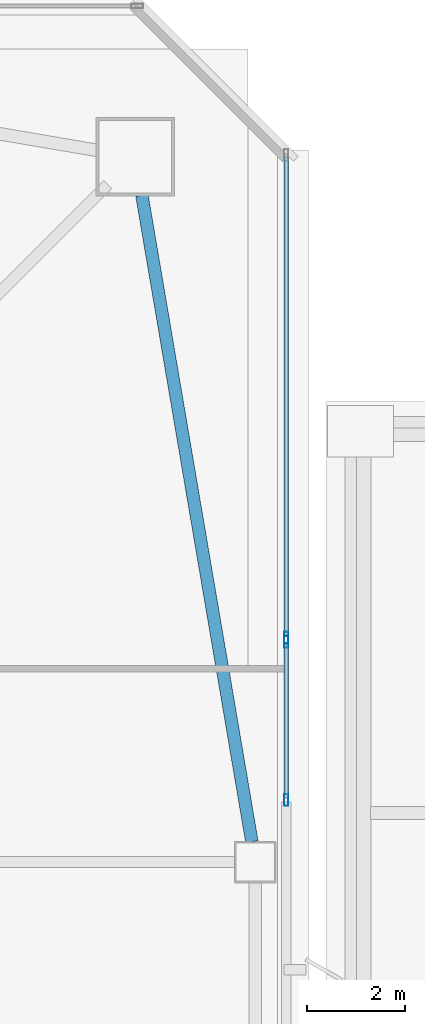
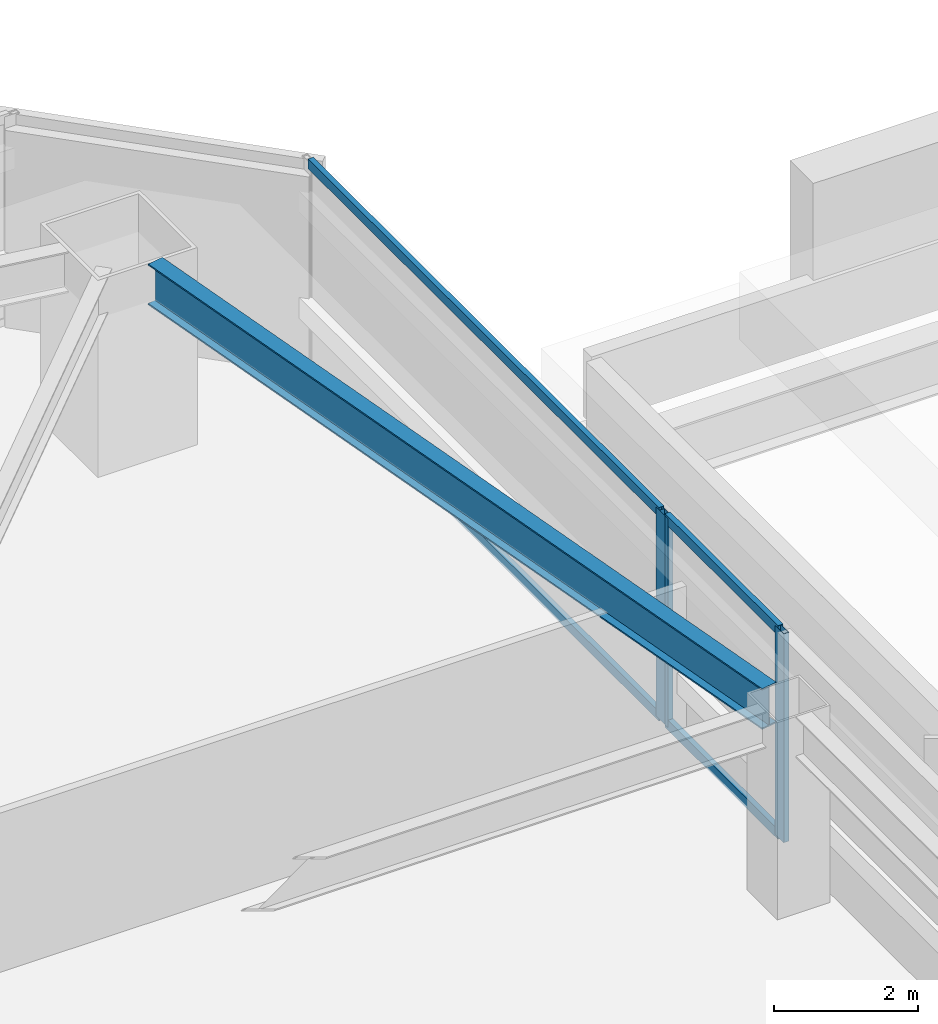
# One storey, part 17 of 62: 7 members, 1 beam, 2 elements without a shape of their own.
"""IFC4 building model written with IfcOpenShell, lengths in metres."""

import ifcopenshell
import ifcopenshell.guid

model = None  # the IFC model being written
_history = None  # IfcOwnerHistory: only IFC2X3 demands one
_inside = {}  # id of a spatial element -> (the spatial element, [elements in it])
_under = {}  # id of a project, library or spatial element -> (it, [spatial elements below it])
_declared = {}  # id of a project -> (the project, [libraries it declares])
_typed = {}  # id of a type object -> (the type object, [elements of that type])
_made_of = {}  # id of a material, layer set ... -> (it, [elements and type objects made of it])


def new_model(schema):
    """Start an empty IFC model of exactly this schema.

    Asked for "IFC4X3", IfcOpenShell would pick the latest addendum, in which some entities
    have other attributes; the version numbers below select the first issue.
    IFC2X3 requires an IfcOwnerHistory on every rooted entity: one is made here for all.
    """
    global model, _history
    if schema == "IFC4X3":
        model = ifcopenshell.file(schema_version=(4, 3, 0, 0))
    else:
        model = ifcopenshell.file(schema=schema)
    _inside.clear()
    _under.clear()
    _declared.clear()
    _typed.clear()
    _made_of.clear()
    _history = None
    if model.schema == "IFC2X3":
        org = make("IfcOrganization", Name="unknown")
        user = make(
            "IfcPersonAndOrganization",
            ThePerson=make("IfcPerson", FamilyName="unknown"),
            TheOrganization=org,
        )
        app = make(
            "IfcApplication",
            ApplicationDeveloper=org,
            Version="unknown",
            ApplicationFullName="unknown",
            ApplicationIdentifier="unknown",
        )
        _history = make(
            "IfcOwnerHistory",
            OwningUser=user,
            OwningApplication=app,
            ChangeAction="ADDED",
            CreationDate=0,
        )
    return model


def make(cls, **values):
    """One entity of the class cls with the attributes given. An attribute that is None is left unset."""
    return model.create_entity(
        cls, **{name: value for name, value in values.items() if value is not None}
    )


def rooted(cls, **values):
    """An entity with a GlobalId (a new one), such as an element, a storey or a relation."""
    return make(cls, GlobalId=ifcopenshell.guid.new(), OwnerHistory=_history, **values)


def si_unit(unit_type, name, prefix=None):
    """IfcSIUnit, for example si_unit("LENGTHUNIT", "METRE", prefix="MILLI")."""
    return make("IfcSIUnit", UnitType=unit_type, Prefix=prefix, Name=name)


def assignment(units):
    """IfcUnitAssignment: the units of a project."""
    return None if units is None else make("IfcUnitAssignment", Units=units)


def point(xyz):
    """IfcCartesianPoint."""
    return None if xyz is None else make("IfcCartesianPoint", Coordinates=xyz)


def direction(xyz):
    """IfcDirection."""
    return None if xyz is None else make("IfcDirection", DirectionRatios=xyz)


def frame(location, z_axis=None, x_axis=None):
    """IfcAxis2Placement3D, a coordinate frame: its origin and axes. An axis left out is left unset."""
    return make(
        "IfcAxis2Placement3D",
        Location=point(location),
        Axis=direction(z_axis),
        RefDirection=direction(x_axis),
    )


def frame_2d(location, x_axis=None):
    """IfcAxis2Placement2D, a coordinate frame in the plane: its origin and x axis."""
    return make(
        "IfcAxis2Placement2D", Location=point(location), RefDirection=direction(x_axis)
    )


def origin():
    """The frame at (0, 0, 0) with its axes left unset."""
    return frame((0.0, 0.0, 0.0))


def origin_2d():
    """The frame at (0, 0) in the plane with its x axis left unset."""
    return frame_2d((0.0, 0.0))


def place(relative_to, where):
    """IfcLocalPlacement: puts the frame where relative to a parent placement (None: the world)."""
    return make(
        "IfcLocalPlacement", PlacementRelTo=relative_to, RelativePlacement=where
    )


def context(
    kind, dimensions, precision=None, world=None, true_north=None, identifier=None
):
    """IfcGeometricRepresentationContext, for example the 3D "Model" context."""
    return make(
        "IfcGeometricRepresentationContext",
        ContextIdentifier=identifier,
        ContextType=kind,
        CoordinateSpaceDimension=dimensions,
        Precision=precision,
        WorldCoordinateSystem=world,
        TrueNorth=true_north,
    )


def subcontext(parent, identifier, kind, view, scale=None):
    """IfcGeometricRepresentationSubContext, for example "Body" below "Model"."""
    return make(
        "IfcGeometricRepresentationSubContext",
        ContextIdentifier=identifier,
        ContextType=kind,
        ParentContext=parent,
        TargetScale=scale,
        TargetView=view,
    )


def project(units=None, contexts=None):
    """IfcProject with its units and contexts."""
    return rooted(
        "IfcProject",
        Name="project",
        RepresentationContexts=contexts,
        UnitsInContext=assignment(units),
    )


def spatial(cls, under=None, at=None, **own):
    """A site, building, storey or space (cls), placed at a placement, below another one or the project."""
    s = rooted(cls, ObjectPlacement=at, **own)
    if under is not None:
        _under.setdefault(under.id(), (under, []))[1].append(s)
    return s


def profile(cls, at=None, kind="AREA", **sizes):
    """A parametric profile (cls). Its sizes go by their IFC names, for example OverallWidth=200.0."""
    return make(cls, ProfileType=kind, Position=at, **sizes)


def hollow_rectangle(**sizes):
    """IfcRectangleHollowProfileDef."""
    return profile("IfcRectangleHollowProfileDef", **sizes)


def i_section(**sizes):
    """IfcIShapeProfileDef."""
    return profile("IfcIShapeProfileDef", **sizes)


def extrude(swept, where, along, depth):
    """IfcExtrudedAreaSolid: the profile swept, set in the frame where, extruded along a direction by depth."""
    return make(
        "IfcExtrudedAreaSolid",
        SweptArea=swept,
        Position=where,
        ExtrudedDirection=direction(along),
        Depth=depth,
    )


def shape(context_of_items, identifier, shape_type, items):
    """IfcShapeRepresentation: the items that make up one representation, for example the "Body"."""
    return make(
        "IfcShapeRepresentation",
        ContextOfItems=context_of_items,
        RepresentationIdentifier=identifier,
        RepresentationType=shape_type,
        Items=items,
    )


def material(Name=None, Category=None):
    """IfcMaterial."""
    return make("IfcMaterial", Name=Name, Category=Category)


def material_profile(
    of_material, cross_section, Name=None, Category=None, Priority=None
):
    """IfcMaterialProfile: a cross section and its material."""
    return make(
        "IfcMaterialProfile",
        Name=Name,
        Material=of_material,
        Profile=cross_section,
        Priority=Priority,
        Category=Category,
    )


def profile_set(profiles, Name=None, composite=None):
    """IfcMaterialProfileSet."""
    return make(
        "IfcMaterialProfileSet",
        Name=Name,
        MaterialProfiles=profiles,
        CompositeProfile=composite,
    )


def made_of(thing, what):
    """Note that an element or type object is made of a material, layer set ...; save() writes the relation."""
    if what is not None:
        _made_of.setdefault(what.id(), (what, []))[1].append(thing)
    return thing


def type_object(cls, material=None, **own):
    """A type object (cls), such as IfcWallType, which elements share."""
    return made_of(rooted(cls, **own), material)


def element(
    cls,
    number,
    at=None,
    inside=None,
    cuts=None,
    type_object=None,
    material=None,
    context=None,
    identifier="Body",
    shape_type=None,
    held_by="IfcProductDefinitionShape",
    body=None,
    shapes=None,
    **own,
):
    """One element of the class cls, such as IfcWall. Its Tag is "e" and its number.

    at: its placement. inside: the storey or other place that contains it. cuts: it is an
    opening in that element (IfcRelVoidsElement). A single representation is given by context,
    identifier, shape_type and body (its items); several are given by shapes. held_by: the class
    of the entity that holds the representations. save() writes the other relations.
    """
    e = rooted(cls, Tag="e%d" % number, ObjectPlacement=at, **own)
    if body is not None:
        shapes = [shape(context, identifier, shape_type, body)]
    if shapes is not None:
        e.Representation = make(held_by, Representations=shapes)
    if inside is not None:
        _inside.setdefault(inside.id(), (inside, []))[1].append(e)
    if cuts is not None:
        rooted(
            "IfcRelVoidsElement", RelatingBuildingElement=cuts, RelatedOpeningElement=e
        )
    if type_object is not None:
        _typed.setdefault(type_object.id(), (type_object, []))[1].append(e)
    return made_of(e, material)


def aggregate(whole, parts):
    """IfcRelAggregates: a whole, such as a stair, and the parts it consists of."""
    return rooted("IfcRelAggregates", RelatingObject=whole, RelatedObjects=parts)


def save(model, path):
    """Write the relations noted so far, then the file.

    IfcRelAggregates (storeys below a building ...), IfcRelContainedInSpatialStructure (elements
    in a storey), IfcRelDefinesByType, IfcRelAssociatesMaterial and IfcRelDeclares: one each for
    every whole, place, type object, material and project.
    """
    for whole, parts in _under.values():
        aggregate(whole, parts)
    for where, things in _inside.values():
        rooted(
            "IfcRelContainedInSpatialStructure",
            RelatedElements=things,
            RelatingStructure=where,
        )
    for kind, things in _typed.values():
        rooted("IfcRelDefinesByType", RelatedObjects=things, RelatingType=kind)
    for what, things in _made_of.values():
        rooted("IfcRelAssociatesMaterial", RelatedObjects=things, RelatingMaterial=what)
    for by, libraries in _declared.values():
        rooted("IfcRelDeclares", RelatingContext=by, RelatedDefinitions=libraries)
    model.write(path)


model = new_model("IFC4")

# Units and contexts
model_context = context("Model", 3, precision=1e-05, world=origin(), true_north=direction((0.0, 1.0)))
body_context = subcontext(model_context, "Body", "Model", "MODEL_VIEW")
ifc_project = project(units=[si_unit("LENGTHUNIT", "METRE"), si_unit("AREAUNIT", "SQUARE_METRE"), si_unit("VOLUMEUNIT", "CUBIC_METRE"), si_unit("PLANEANGLEUNIT", "RADIAN"), si_unit("MASSUNIT", "GRAM", prefix="KILO")], contexts=[model_context])

# Site, building, storey
site_placement = place(None, origin())
site = spatial("IfcSite", under=ifc_project, at=site_placement, CompositionType="ELEMENT")
building_placement = place(site_placement, origin())
building = spatial("IfcBuilding", under=site, at=building_placement, Name="Tashvorn Skyway Center", CompositionType="ELEMENT")
storey_placement = place(building_placement, frame((0.0, 0.0, 28.14990234375)))
storey = spatial("IfcBuildingStorey", under=building, at=storey_placement, Name="L06", CompositionType="ELEMENT", Elevation=28.14990234375)

# Beam
ifc_material_1 = material(Name="Steel ASTM A992 Grade 50", Category="steel")
ifc_material_profile_1 = material_profile(ifc_material_1, i_section(OverallWidth=0.256103515625, OverallDepth=0.693115234375, WebThickness=0.014404296875, FlangeThickness=0.023681640625, at=origin_2d()), Name="W27X114")
ifc_profile_set_1 = profile_set([ifc_material_profile_1], Name="Steel ASTM A992 Grade 50")
beam_type = type_object("IfcBeamType", Name="BM-SPANDREL-W27X114", PredefinedType="SPANDREL", material=ifc_profile_set_1)
beam_placement = place(storey_placement, frame((64.179443359375, 37.81396484375, 3.003662109375), z_axis=(-0.16771792509, 0.985835025551, 0.0), x_axis=(-0.985835025551, -0.16771792509, 0.0)))
element("IfcBeam", 1, at=beam_placement, inside=storey, type_object=beam_type, Name="Tower 1 L06 Spandrel Beam 06", PredefinedType="SPANDREL", context=body_context, shape_type="SweptSolid", body=[
    extrude(i_section(OverallWidth=0.256103515625, OverallDepth=0.693115234375, WebThickness=0.014404296875, FlangeThickness=0.023681640625, at=origin_2d()), origin(), (0.0, 0.0, 1.0), 13.39208984375),
])

# Curtain wall, member
ifc_material_2 = material(Name="Thermally broken bronze-anodized aluminium 6063-T6", Category="aluminium")
curtain_wall_type = type_object("IfcCurtainWallType", Name="CW-CW-Z1", PredefinedType="NOTDEFINED", material=ifc_material_2)
curtain_wall_1_placement = place(storey_placement, origin())
curtain_wall_1 = element("IfcCurtainWall", 2, at=curtain_wall_1_placement, inside=storey, type_object=curtain_wall_type, Name="Tower 1 L06 East Unitised Curtain Wall Glazing Group 1", PredefinedType="NOTDEFINED")
ifc_material_profile_2 = material_profile(ifc_material_2, hollow_rectangle(XDim=0.0849609375, YDim=0.239990234375, WallThickness=0.0048828125, at=origin_2d()), Name="ALU-MULL-85x240")
ifc_profile_set_2 = profile_set([ifc_material_profile_2], Name="Thermally broken bronze-anodized aluminium 6063-T6")
member_type_1 = type_object("IfcMemberType", Name="CWM-CW-Z1", PredefinedType="MULLION", material=ifc_profile_set_2)
member_1_placement = place(storey_placement, frame((64.8798828125, 41.982421875, 0.0), z_axis=(0.0, 0.0, 1.0), x_axis=(1.0, 0.0, 0.0)))
member_1 = element("IfcMember", 3, at=member_1_placement, type_object=member_type_1, Name="CW-Z1 mullion 2", PredefinedType="MULLION", context=body_context, shape_type="SweptSolid", body=[
    extrude(hollow_rectangle(XDim=0.0849609375, YDim=0.239990234375, WallThickness=0.0048828125, at=origin_2d()), origin(), (0.0, 0.0, 1.0), 3.550048828125),
])

# Curtain wall, members
curtain_wall_2_placement = place(storey_placement, origin())
curtain_wall_2 = element("IfcCurtainWall", 4, at=curtain_wall_2_placement, inside=storey, type_object=curtain_wall_type, Name="Tower 1 L06 East Unitised Curtain Wall Glazing Group 2", PredefinedType="NOTDEFINED")
member_2_placement = place(storey_placement, frame((64.8798828125, 41.8974609375, 0.0), z_axis=(0.0, 0.0, 1.0), x_axis=(1.0, 0.0, 0.0)))
member_2 = element("IfcMember", 5, at=member_2_placement, type_object=member_type_1, Name="CW-Z1 mullion 1", PredefinedType="MULLION", context=body_context, shape_type="SweptSolid", body=[
    extrude(hollow_rectangle(XDim=0.0849609375, YDim=0.239990234375, WallThickness=0.0048828125, at=origin_2d()), origin(), (0.0, 0.0, 1.0), 3.550048828125),
])
member_3_placement = place(storey_placement, frame((64.8798828125, 38.669189453125, 0.0), z_axis=(0.0, 0.0, 1.0), x_axis=(1.0, 0.0, 0.0)))
member_3 = element("IfcMember", 6, at=member_3_placement, type_object=member_type_1, Name="CW-Z1 mullion 2", PredefinedType="MULLION", context=body_context, shape_type="SweptSolid", body=[
    extrude(hollow_rectangle(XDim=0.0849609375, YDim=0.239990234375, WallThickness=0.0048828125, at=origin_2d()), origin(), (0.0, 0.0, 1.0), 3.550048828125),
])

# Member
ifc_material_profile_3 = material_profile(ifc_material_2, hollow_rectangle(XDim=0.0849609375, YDim=0.1650390625, WallThickness=0.0048828125, at=origin_2d()), Name="ALU-TRAN-85x165")
ifc_profile_set_3 = profile_set([ifc_material_profile_3], Name="Thermally broken bronze-anodized aluminium 6063-T6")
member_type_2 = type_object("IfcMemberType", Name="CWT-CW-Z1", PredefinedType="USERDEFINED", material=ifc_profile_set_3)
member_4_placement = place(storey_placement, frame((64.8798828125, 51.794921875, 0.04248046875), z_axis=(0.0, -1.0, 0.0), x_axis=(1.0, 0.0, 0.0)))
member_4 = element("IfcMember", 7, at=member_4_placement, type_object=member_type_2, Name="CW-Z1 transom 1.1", ObjectType="TRANSOM", PredefinedType="USERDEFINED", context=body_context, shape_type="SweptSolid", body=[
    extrude(hollow_rectangle(XDim=0.0849609375, YDim=0.1650390625, WallThickness=0.0048828125, at=origin_2d()), origin(), (0.0, 0.0, 1.0), 9.77001953125),
])

member_5_placement = place(storey_placement, frame((64.8798828125, 51.794921875, 3.507568359375), z_axis=(0.0, -1.0, 0.0), x_axis=(1.0, 0.0, 0.0)))
member_5 = element("IfcMember", 8, at=member_5_placement, type_object=member_type_2, Name="CW-Z1 transom 1.2", ObjectType="TRANSOM", PredefinedType="USERDEFINED", context=body_context, shape_type="SweptSolid", body=[
    extrude(hollow_rectangle(XDim=0.0849609375, YDim=0.1650390625, WallThickness=0.0048828125, at=origin_2d()), origin(), (0.0, 0.0, 1.0), 9.77001953125),
])

aggregate(curtain_wall_1, [member_1, member_4, member_5])

member_6_placement = place(storey_placement, frame((64.8798828125, 41.85498046875, 0.04248046875), z_axis=(0.0, -1.0, 0.0), x_axis=(1.0, 0.0, 0.0)))
member_6 = element("IfcMember", 9, at=member_6_placement, type_object=member_type_2, Name="CW-Z1 transom 1.1", ObjectType="TRANSOM", PredefinedType="USERDEFINED", context=body_context, shape_type="SweptSolid", body=[
    extrude(hollow_rectangle(XDim=0.0849609375, YDim=0.1650390625, WallThickness=0.0048828125, at=origin_2d()), origin(), (0.0, 0.0, 1.0), 3.143310546875),
])

member_7_placement = place(storey_placement, frame((64.8798828125, 41.85498046875, 3.507568359375), z_axis=(0.0, -1.0, 0.0), x_axis=(1.0, 0.0, 0.0)))
member_7 = element("IfcMember", 10, at=member_7_placement, type_object=member_type_2, Name="CW-Z1 transom 1.2", ObjectType="TRANSOM", PredefinedType="USERDEFINED", context=body_context, shape_type="SweptSolid", body=[
    extrude(hollow_rectangle(XDim=0.0849609375, YDim=0.1650390625, WallThickness=0.0048828125, at=origin_2d()), origin(), (0.0, 0.0, 1.0), 3.143310546875),
])

aggregate(curtain_wall_2, [member_2, member_3, member_6, member_7])

save(model, "model.ifc")
